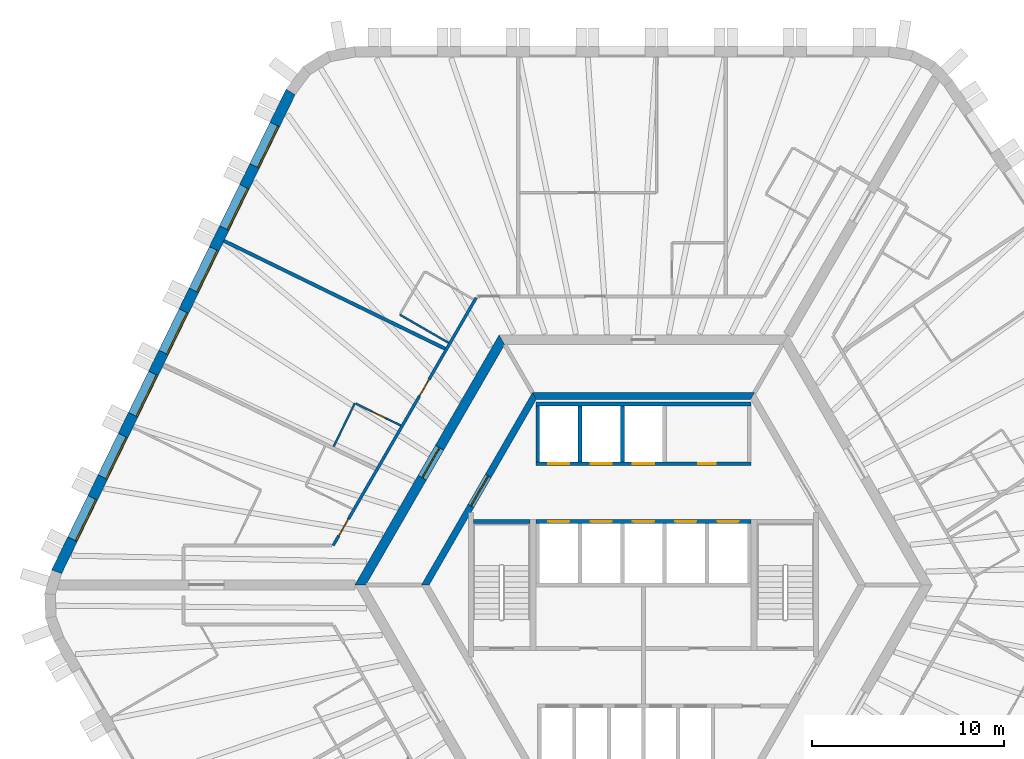
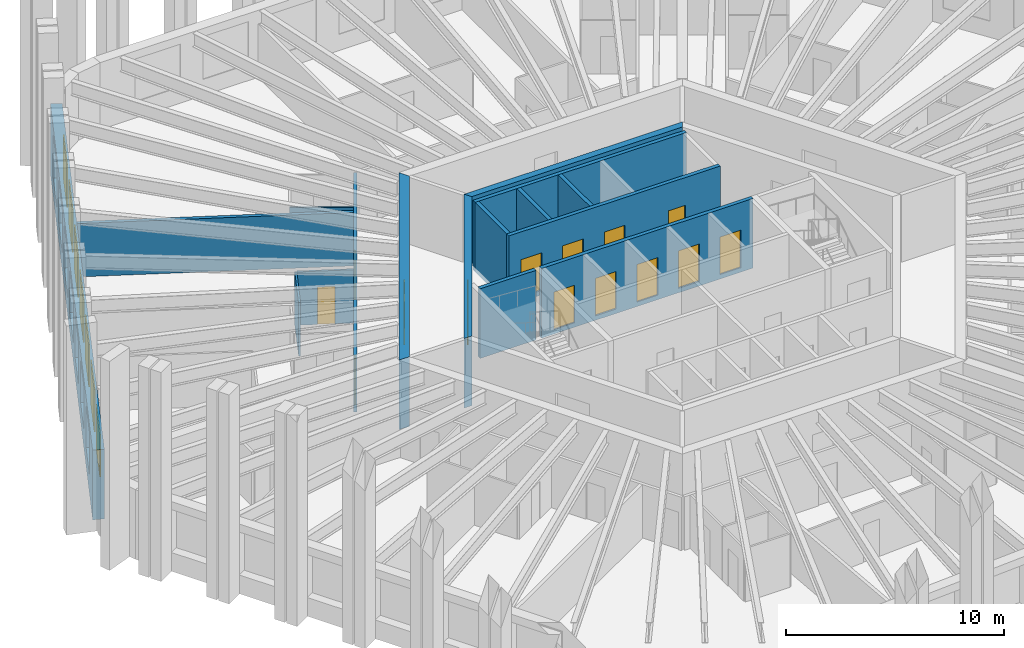
# One storey, part 7 of 11: 16 walls, 14 doors, 7 windows, 21 openings.
"""IFC4 building model written with IfcOpenShell, lengths in metres."""

from ifc_helpers import new_model, si_unit, direction, frame, frame_2d, origin, place, context, subcontext, project, spatial, polyline, rectangle, outline, extrude, material, layer, layer_set, type_object, element, fill, save


model = new_model("IFC4")

# Units and contexts
model_context = context("Model", 3, precision=1e-05, world=origin(), true_north=direction((0.0, 1.0)))
body_context = subcontext(model_context, "Body", "Model", "MODEL_VIEW")
ifc_project = project(units=[si_unit("LENGTHUNIT", "METRE"), si_unit("AREAUNIT", "SQUARE_METRE"), si_unit("VOLUMEUNIT", "CUBIC_METRE"), si_unit("PLANEANGLEUNIT", "RADIAN"), si_unit("MASSUNIT", "GRAM", prefix="KILO")], contexts=[model_context])

# Site, building, storey
site_placement = place(None, origin())
site = spatial("IfcSite", under=ifc_project, at=site_placement, CompositionType="ELEMENT")
building_placement = place(site_placement, origin())
building = spatial("IfcBuilding", under=site, at=building_placement, Name="Tarnside Tower", CompositionType="ELEMENT")
storey_placement = place(building_placement, frame((0.0, 0.0, 183.89990234375)))
storey = spatial("IfcBuildingStorey", under=building, at=storey_placement, Name="L43", CompositionType="ELEMENT", Elevation=183.89990234375)

# Walls
ifc_material_1 = material(Name="Gypsum board partition on steel studs", Category="steel")
ifc_layer_1 = layer(ifc_material_1, 0.10009765625)
ifc_layer_set_1 = layer_set([ifc_layer_1], Name="Bathroom wall 100")
wall_type_1 = type_object("IfcWallType", Name="Bathroom wall 100", PredefinedType="PARTITIONING", material=ifc_layer_set_1)
wall_1_placement = place(storey_placement, frame((-10.137939453125, 12.5908203125, 0.0), z_axis=(0.0, 0.0, 1.0), x_axis=(-0.866025730634, 0.499999433879, 0.0)))
element("IfcWall", 1, at=wall_1_placement, inside=storey, type_object=wall_type_1, Name="Bathroom wall 14064", PredefinedType="PARTITIONING", context=body_context, shape_type="SweptSolid", body=[
    extrude(rectangle(XDim=2.9248046875, YDim=0.10009765625, at=frame_2d((1.46240234375, 0.0))), origin(), (0.0, 0.0, 1.0), 2.98779296875),
])
wall_2_placement = place(storey_placement, frame((-16.107666015625, 7.197509765625, 0.0), z_axis=(0.0, 0.0, 1.0), x_axis=(0.438398718232, 0.898780598284, 0.0)))
element("IfcWall", 2, at=wall_2_placement, inside=storey, type_object=wall_type_1, Name="Bathroom wall 14068", PredefinedType="PARTITIONING", context=body_context, shape_type="SweptSolid", body=[
    extrude(rectangle(XDim=2.510009765625, YDim=0.10009765625, at=frame_2d((1.2548828125, 0.0))), origin(), (0.0, 0.0, 1.0), 2.98779296875),
])

# Wall, opening, door
wall_3_placement = place(storey_placement, frame((-14.96240234375, 9.431640625, 0.0), z_axis=(0.0, 0.0, 1.0), x_axis=(0.898770247069, -0.438419939081, 0.0)))
wall_3 = element("IfcWall", 3, at=wall_3_placement, inside=storey, type_object=wall_type_1, Name="Bathroom wall 14069", PredefinedType="PARTITIONING", context=body_context, shape_type="SweptSolid", body=[
    extrude(rectangle(XDim=2.60498046875, YDim=0.10009765625, at=frame_2d((1.302490234375, 0.0))), origin(), (0.0, 0.0, 1.0), 2.98779296875),
])
opening_1_placement = place(wall_3_placement, frame((0.949951171875, 0.0, 0.0)))
opening_1 = element("IfcOpeningElement", 4, at=opening_1_placement, cuts=wall_3, Name="Opening D-B1", PredefinedType="OPENING", context=body_context, shape_type="SweptSolid", body=[
    extrude(rectangle(XDim=0.800048828125, YDim=2.10009765625, at=frame_2d((0.39990234375, 1.050048828125))), frame((0.0, 0.06005859375, 0.0), z_axis=(0.0, -1.0, 0.0), x_axis=(1.0, 0.0, 0.0)), (0.0, 0.0, 1.0), 0.1201171875),
])
ifc_material_2 = material(Name="Timber door leaf", Category="wood")
door_type_1 = type_object("IfcDoorType", Name="Bathroom door 800", OperationType="NOTDEFINED", PredefinedType="DOOR", material=ifc_material_2)
door_1_placement = place(opening_1_placement, origin())
door_1 = element("IfcDoor", 5, at=door_1_placement, inside=storey, type_object=door_type_1, Name="Bathroom door 14009", OperationType="SINGLE_SWING_LEFT", OverallHeight=2.10009765625, OverallWidth=0.800048828125, PredefinedType="DOOR", context=body_context, shape_type="SweptSolid", body=[
    extrude(rectangle(XDim=0.800048828125, YDim=2.10009765625, at=frame_2d((0.39990234375, 1.050048828125))), frame((0.0, 0.02490234375, 0.0), z_axis=(0.0, -1.0, 0.0), x_axis=(1.0, 0.0, 0.0)), (0.0, 0.0, 1.0), 0.050048828125),
])
fill(opening_1, door_1)

ifc_material_3 = material(Name="Concrete C50/60", Category="concrete")
ifc_layer_2 = layer(ifc_material_3, 0.35009765625)
ifc_layer_set_2 = layer_set([ifc_layer_2], Name="Core block wall 350 C50/60")
wall_type_2 = type_object("IfcWallType", Name="Core block wall 350 C50/60", PredefinedType="SHEAR", material=ifc_layer_set_2)
wall_4_placement = place(storey_placement, frame((-5.672607421875, 9.824951171875, -0.14990234375), z_axis=(0.0, 0.0, 1.0), x_axis=(-0.499995046907, -0.866028263435, 0.0)))
wall_4 = element("IfcWall", 6, at=wall_4_placement, inside=storey, type_object=wall_type_2, Name="L43 core block wall face 2", PredefinedType="SHEAR", context=body_context, shape_type="SweptSolid", body=[
    extrude(outline(polyline([(-0.10107421875, -0.175048828125), (11.44580078125, -0.175048828125), (11.24365234375, 0.175048828125), (0.10107421875, 0.175048828125), (-0.10107421875, -0.175048828125)])), origin(), (0.0, 0.0, 1.0), 3.89990234375),
])
opening_2_placement = place(wall_4_placement, frame((4.80126953125, 0.0, 0.14990234375)))
opening_2 = element("IfcOpeningElement", 7, at=opening_2_placement, cuts=wall_4, Name="Opening CD-LOB", PredefinedType="OPENING", context=body_context, shape_type="SweptSolid", body=[
    extrude(rectangle(XDim=1.800048828125, YDim=2.39990234375, at=frame_2d((0.89990234375, 1.199951171875))), frame((0.0, 0.18505859375, 0.0), z_axis=(0.0, -1.0, 0.0), x_axis=(1.0, 0.0, 0.0)), (0.0, 0.0, 1.0), 0.3701171875),
])
ifc_material_4 = material(Name="Steel fire door", Category="steel")
door_type_2 = type_object("IfcDoorType", Name="Lobby double door FD30S 1800x2400", OperationType="NOTDEFINED", PredefinedType="DOOR", material=ifc_material_4)
door_2_placement = place(opening_2_placement, origin())
door_2 = element("IfcDoor", 8, at=door_2_placement, inside=storey, type_object=door_type_2, Name="L43 lobby block door P1", OperationType="DOUBLE_DOOR_SINGLE_SWING", OverallHeight=2.39990234375, OverallWidth=1.800048828125, PredefinedType="DOOR", context=body_context, shape_type="SweptSolid", body=[
    extrude(rectangle(XDim=1.800048828125, YDim=2.39990234375, at=frame_2d((0.89990234375, 1.199951171875))), frame((0.0, 0.02490234375, 0.0), z_axis=(0.0, -1.0, 0.0), x_axis=(1.0, 0.0, 0.0)), (0.0, 0.0, 1.0), 0.050048828125),
])
fill(opening_2, door_2)

# Wall
wall_5_placement = place(storey_placement, frame((5.672607421875, 9.824951171875, -0.14990234375), z_axis=(0.0, 0.0, 1.0), x_axis=(-1.0, 0.0, 0.0)))
element("IfcWall", 9, at=wall_5_placement, inside=storey, type_object=wall_type_2, Name="L43 core block wall face 1", PredefinedType="SHEAR", context=body_context, shape_type="SweptSolid", body=[
    extrude(outline(polyline([(-0.10107421875, -0.175048828125), (11.4462890625, -0.175048828125), (11.244140625, 0.175048828125), (0.10107421875, 0.175048828125), (-0.10107421875, -0.175048828125)])), origin(), (0.0, 0.0, 1.0), 3.89990234375),
])

# Wall, opening, door
ifc_material_5 = material(Name="Concrete C70/85", Category="concrete")
ifc_layer_3 = layer(ifc_material_5, 0.5)
ifc_layer_set_3 = layer_set([ifc_layer_3], Name="Core wall Z2 500 C70/85")
wall_type_3 = type_object("IfcWallType", Name="Core wall Z2 500 C70/85", PredefinedType="SHEAR", material=ifc_layer_set_3)
wall_6_placement = place(storey_placement, frame((-7.361083984375, 12.75, -0.14990234375), z_axis=(0.0, 0.0, 1.0), x_axis=(-0.50000571537, -0.866022103989, 0.0)))
wall_6 = element("IfcWall", 10, at=wall_6_placement, inside=storey, type_object=wall_type_3, Name="L43 core wall face 2", PredefinedType="SHEAR", context=body_context, shape_type="SweptSolid", body=[
    extrude(outline(polyline([(-0.144287109375, -0.25), (14.86669921875, -0.25), (14.578125, 0.25), (0.144287109375, 0.25), (-0.144287109375, -0.25)])), origin(), (0.0, 0.0, 1.0), 3.89990234375),
])
opening_3_placement = place(wall_6_placement, frame((6.489990234375, 0.0, 0.14990234375)))
opening_3 = element("IfcOpeningElement", 11, at=opening_3_placement, cuts=wall_6, Name="Opening CD-LOB", PredefinedType="OPENING", context=body_context, shape_type="SweptSolid", body=[
    extrude(rectangle(XDim=1.800048828125, YDim=2.39990234375, at=frame_2d((0.89990234375, 1.199951171875))), frame((0.0, 0.260009765625, 0.0), z_axis=(0.0, -1.0, 0.0), x_axis=(1.0, 0.0, 0.0)), (0.0, 0.0, 1.0), 0.52001953125),
])
door_3_placement = place(opening_3_placement, origin())
door_3 = element("IfcDoor", 12, at=door_3_placement, inside=storey, type_object=door_type_2, Name="L43 core door P1", OperationType="DOUBLE_DOOR_SINGLE_SWING", OverallHeight=2.39990234375, OverallWidth=1.800048828125, PredefinedType="DOOR", context=body_context, shape_type="SweptSolid", body=[
    extrude(rectangle(XDim=1.800048828125, YDim=2.39990234375, at=frame_2d((0.89990234375, 1.199951171875))), frame((0.0, 0.02490234375, 0.0), z_axis=(0.0, -1.0, 0.0), x_axis=(1.0, 0.0, 0.0)), (0.0, 0.0, 1.0), 0.050048828125),
])
fill(opening_3, door_3)

# Wall, openings, doors
ifc_layer_4 = layer(ifc_material_1, 0.14990234375)
ifc_layer_set_4 = layer_set([ifc_layer_4], Name="Corridor wall 150 EI 60")
wall_type_4 = type_object("IfcWallType", Name="Corridor wall 150 EI 60", PredefinedType="PARTITIONING", material=ifc_layer_set_4)
wall_7_placement = place(storey_placement, frame((-8.70361328125, 14.925048828125, 0.0), z_axis=(0.0, 0.0, 1.0), x_axis=(-0.499998228944, -0.866026426302, 0.0)))
wall_7 = element("IfcWall", 13, at=wall_7_placement, inside=storey, type_object=wall_type_4, Name="Corridor wall 14008", PredefinedType="PARTITIONING", context=body_context, shape_type="SweptSolid", body=[
    extrude(rectangle(XDim=14.86669921875, YDim=0.14990234375, at=frame_2d((7.433349609375, 0.0))), origin(), (0.0, 0.0, 1.0), 2.98779296875),
])
opening_4_placement = place(wall_7_placement, frame((4.900634765625, 0.0, 0.0)))
opening_4 = element("IfcOpeningElement", 14, at=opening_4_placement, cuts=wall_7, Name="Opening D-E1", PredefinedType="OPENING", context=body_context, shape_type="SweptSolid", body=[
    extrude(rectangle(XDim=1.0, YDim=2.10009765625, at=frame_2d((0.5, 1.050048828125))), frame((0.0, 0.0849609375, 0.0), z_axis=(0.0, -1.0, 0.0), x_axis=(1.0, 0.0, 0.0)), (0.0, 0.0, 1.0), 0.169921875),
])
opening_5_placement = place(wall_7_placement, frame((13.28369140625, 0.0, 0.0)))
opening_5 = element("IfcOpeningElement", 15, at=opening_5_placement, cuts=wall_7, Name="Opening D-E1", PredefinedType="OPENING", context=body_context, shape_type="SweptSolid", body=[
    extrude(rectangle(XDim=1.0, YDim=2.10009765625, at=frame_2d((0.5, 1.050048828125))), frame((0.0, 0.0849609375, 0.0), z_axis=(0.0, -1.0, 0.0), x_axis=(1.0, 0.0, 0.0)), (0.0, 0.0, 1.0), 0.169921875),
])
door_type_3 = type_object("IfcDoorType", Name="Unit entrance door 1000 FD30S", OperationType="NOTDEFINED", PredefinedType="DOOR", material=ifc_material_2)
door_4_placement = place(opening_4_placement, origin())
door_4 = element("IfcDoor", 16, at=door_4_placement, inside=storey, type_object=door_type_3, Name="Unit door 14008", OperationType="SINGLE_SWING_RIGHT", OverallHeight=2.10009765625, OverallWidth=1.0, PredefinedType="DOOR", context=body_context, shape_type="SweptSolid", body=[
    extrude(rectangle(XDim=1.0, YDim=2.10009765625, at=frame_2d((0.5, 1.050048828125))), frame((0.0, 0.02490234375, 0.0), z_axis=(0.0, -1.0, 0.0), x_axis=(1.0, 0.0, 0.0)), (0.0, 0.0, 1.0), 0.050048828125),
])
fill(opening_4, door_4)
door_5_placement = place(opening_5_placement, origin())
door_5 = element("IfcDoor", 17, at=door_5_placement, inside=storey, type_object=door_type_3, Name="Unit door 14010", OperationType="SINGLE_SWING_LEFT", OverallHeight=2.10009765625, OverallWidth=1.0, PredefinedType="DOOR", context=body_context, shape_type="SweptSolid", body=[
    extrude(rectangle(XDim=1.0, YDim=2.10009765625, at=frame_2d((0.5, 1.050048828125))), frame((0.0, 0.02490234375, 0.0), z_axis=(0.0, -1.0, 0.0), x_axis=(1.0, 0.0, 0.0)), (0.0, 0.0, 1.0), 0.050048828125),
])
fill(opening_5, door_5)

# Wall
ifc_layer_5 = layer(ifc_material_1, 0.179931640625)
ifc_layer_set_5 = layer_set([ifc_layer_5], Name="Demising wall 180 EI 60")
wall_type_5 = type_object("IfcWallType", Name="Demising wall 180 EI 60", PredefinedType="PARTITIONING", material=ifc_layer_set_5)
wall_8_placement = place(storey_placement, frame((-21.814697265625, 17.8916015625, 0.0), z_axis=(0.0, 0.0, 1.0), x_axis=(0.898799253997, -0.438360469265, 0.0)))
element("IfcWall", 18, at=wall_8_placement, inside=storey, type_object=wall_type_5, Name="Demising wall 14067", PredefinedType="PARTITIONING", context=body_context, shape_type="SweptSolid", body=[
    extrude(rectangle(XDim=12.7939453125, YDim=0.179931640625, at=frame_2d((6.39697265625, 0.0))), origin(), (0.0, 0.0, 1.0), 2.98779296875),
])

# Wall, openings, doors
ifc_material_6 = material(Name="Concrete C40/50", Category="concrete")
ifc_layer_6 = layer(ifc_material_6, 0.199951171875)
ifc_layer_set_6 = layer_set([ifc_layer_6], Name="Lift shaft wall 200 C40/50")
wall_type_6 = type_object("IfcWallType", Name="Lift shaft wall 200 C40/50", PredefinedType="SHEAR", material=ifc_layer_set_6)
wall_9_placement = place(storey_placement, frame((-5.60009765625, 6.300048828125, -0.25), z_axis=(0.0, 0.0, 1.0), x_axis=(1.0, 0.0, 0.0)))
wall_9 = element("IfcWall", 19, at=wall_9_placement, inside=storey, type_object=wall_type_6, Name="L43 lift shaft front wall R1", PredefinedType="SHEAR", context=body_context, shape_type="SweptSolid", body=[
    extrude(rectangle(XDim=11.2001953125, YDim=0.199951171875, at=frame_2d((5.60009765625, 0.0))), origin(), (0.0, 0.0, 1.0), 3.900146484375),
])
opening_6_placement = place(wall_9_placement, frame((8.449951171875, 0.0, 0.25)))
opening_6 = element("IfcOpeningElement", 20, at=opening_6_placement, cuts=wall_9, Name="Opening CD-room", PredefinedType="OPENING", context=body_context, shape_type="SweptSolid", body=[
    extrude(rectangle(XDim=0.89990234375, YDim=2.10009765625, at=frame_2d((0.449951171875, 1.050048828125))), frame((0.0, 0.10986328125, 0.0), z_axis=(0.0, -1.0, 0.0), x_axis=(1.0, 0.0, 0.0)), (0.0, 0.0, 1.0), 0.219970703125),
])
opening_7_placement = place(wall_9_placement, frame((0.64990234375, 0.0, 0.25)))
opening_7 = element("IfcOpeningElement", 21, at=opening_7_placement, cuts=wall_9, Name="Opening LD", PredefinedType="OPENING", context=body_context, shape_type="SweptSolid", body=[
    extrude(rectangle(XDim=1.10009765625, YDim=2.10009765625, at=frame_2d((0.550048828125, 1.050048828125))), frame((0.0, 0.10986328125, 0.0), z_axis=(0.0, -1.0, 0.0), x_axis=(1.0, 0.0, 0.0)), (0.0, 0.0, 1.0), 0.219970703125),
])
opening_8_placement = place(wall_9_placement, frame((2.85009765625, 0.0, 0.25)))
opening_8 = element("IfcOpeningElement", 22, at=opening_8_placement, cuts=wall_9, Name="Opening LD", PredefinedType="OPENING", context=body_context, shape_type="SweptSolid", body=[
    extrude(rectangle(XDim=1.10009765625, YDim=2.10009765625, at=frame_2d((0.550048828125, 1.050048828125))), frame((0.0, 0.10986328125, 0.0), z_axis=(0.0, -1.0, 0.0), x_axis=(1.0, 0.0, 0.0)), (0.0, 0.0, 1.0), 0.219970703125),
])
opening_9_placement = place(wall_9_placement, frame((5.050048828125, 0.0, 0.25)))
opening_9 = element("IfcOpeningElement", 23, at=opening_9_placement, cuts=wall_9, Name="Opening LD", PredefinedType="OPENING", context=body_context, shape_type="SweptSolid", body=[
    extrude(rectangle(XDim=1.10009765625, YDim=2.10009765625, at=frame_2d((0.550048828125, 1.050048828125))), frame((0.0, 0.10986328125, 0.0), z_axis=(0.0, -1.0, 0.0), x_axis=(1.0, 0.0, 0.0)), (0.0, 0.0, 1.0), 0.219970703125),
])
ifc_material_7 = material(Name="Stainless steel", Category="steel")
door_type_4 = type_object("IfcDoorType", Name="Lift landing door 1100x2100", OperationType="NOTDEFINED", PredefinedType="DOOR", material=ifc_material_7)
door_6_placement = place(opening_7_placement, origin())
door_6 = element("IfcDoor", 24, at=door_6_placement, inside=storey, type_object=door_type_4, Name="Mid-rise lift 1 landing door L43", OperationType="SLIDING_TO_LEFT", OverallHeight=2.10009765625, OverallWidth=1.10009765625, PredefinedType="DOOR", context=body_context, shape_type="SweptSolid", body=[
    extrude(rectangle(XDim=1.10009765625, YDim=2.10009765625, at=frame_2d((0.550048828125, 1.050048828125))), frame((0.0, 0.02490234375, 0.0), z_axis=(0.0, -1.0, 0.0), x_axis=(1.0, 0.0, 0.0)), (0.0, 0.0, 1.0), 0.050048828125),
])
fill(opening_7, door_6)
door_7_placement = place(opening_8_placement, origin())
door_7 = element("IfcDoor", 25, at=door_7_placement, inside=storey, type_object=door_type_4, Name="Mid-rise lift 2 landing door L43", OperationType="SLIDING_TO_LEFT", OverallHeight=2.10009765625, OverallWidth=1.10009765625, PredefinedType="DOOR", context=body_context, shape_type="SweptSolid", body=[
    extrude(rectangle(XDim=1.10009765625, YDim=2.10009765625, at=frame_2d((0.550048828125, 1.050048828125))), frame((0.0, 0.02490234375, 0.0), z_axis=(0.0, -1.0, 0.0), x_axis=(1.0, 0.0, 0.0)), (0.0, 0.0, 1.0), 0.050048828125),
])
fill(opening_8, door_7)
door_8_placement = place(opening_9_placement, origin())
door_8 = element("IfcDoor", 26, at=door_8_placement, inside=storey, type_object=door_type_4, Name="Mid-rise lift 3 landing door L43", OperationType="SLIDING_TO_LEFT", OverallHeight=2.10009765625, OverallWidth=1.10009765625, PredefinedType="DOOR", context=body_context, shape_type="SweptSolid", body=[
    extrude(rectangle(XDim=1.10009765625, YDim=2.10009765625, at=frame_2d((0.550048828125, 1.050048828125))), frame((0.0, 0.02490234375, 0.0), z_axis=(0.0, -1.0, 0.0), x_axis=(1.0, 0.0, 0.0)), (0.0, 0.0, 1.0), 0.050048828125),
])
fill(opening_9, door_8)
door_type_5 = type_object("IfcDoorType", Name="Room door FD60 900x2100", OperationType="NOTDEFINED", PredefinedType="DOOR", material=ifc_material_4)
door_9_placement = place(opening_6_placement, origin())
door_9 = element("IfcDoor", 27, at=door_9_placement, inside=storey, type_object=door_type_5, Name="L43 core room door FC1", OperationType="SINGLE_SWING_LEFT", OverallHeight=2.10009765625, OverallWidth=0.89990234375, PredefinedType="DOOR", context=body_context, shape_type="SweptSolid", body=[
    extrude(rectangle(XDim=0.89990234375, YDim=2.10009765625, at=frame_2d((0.449951171875, 1.050048828125))), frame((0.0, 0.02490234375, 0.0), z_axis=(0.0, -1.0, 0.0), x_axis=(1.0, 0.0, 0.0)), (0.0, 0.0, 1.0), 0.050048828125),
])
fill(opening_6, door_9)

# Walls
wall_10_placement = place(storey_placement, frame((-5.60009765625, 9.39990234375, -0.25), z_axis=(0.0, 0.0, 1.0), x_axis=(1.0, 0.0, 0.0)))
element("IfcWall", 28, at=wall_10_placement, inside=storey, type_object=wall_type_6, Name="L43 lift shaft back wall R1", PredefinedType="SHEAR", context=body_context, shape_type="SweptSolid", body=[
    extrude(rectangle(XDim=11.2001953125, YDim=0.199951171875, at=frame_2d((5.60009765625, 0.0))), origin(), (0.0, 0.0, 1.0), 3.900146484375),
])
for number, where, z_axis, x_axis, name in (
    (29, (-5.5, 6.39990234375, -0.25), (0.0, 0.0, 1.0), (0.0, 1.0, 0.0), "L43 lift shaft partition R11"),
    (30, (-3.300048828125, 6.39990234375, -0.25), (0.0, 0.0, 1.0), (0.0, 1.0, 0.0), "L43 lift shaft partition R12"),
    (31, (-1.10009765625, 6.39990234375, -0.25), (0.0, 0.0, 1.0), (0.0, 1.0, 0.0), "L43 lift shaft partition R13"),
):
    element("IfcWall", number, at=place(storey_placement, frame(where, z_axis=z_axis, x_axis=x_axis)), inside=storey, type_object=wall_type_6, Name=name, PredefinedType="SHEAR", context=body_context, shape_type="SweptSolid", body=[
        extrude(rectangle(XDim=2.900146484375, YDim=0.199951171875, at=frame_2d((1.4501953125, 0.0))), origin(), (0.0, 0.0, 1.0), 3.900146484375),
    ])

# Wall, openings, doors
wall_11_placement = place(storey_placement, frame((-5.60009765625, 3.300048828125, -0.25), z_axis=(0.0, 0.0, 1.0), x_axis=(1.0, 0.0, 0.0)))
wall_11 = element("IfcWall", 32, at=wall_11_placement, inside=storey, type_object=wall_type_6, Name="L43 lift shaft front wall R2", PredefinedType="SHEAR", context=body_context, shape_type="SweptSolid", body=[
    extrude(rectangle(XDim=11.2001953125, YDim=0.199951171875, at=frame_2d((5.60009765625, 0.0))), origin(), (0.0, 0.0, 1.0), 3.900146484375),
])
opening_10_placement = place(wall_11_placement, frame((0.64990234375, 0.0, 0.25)))
opening_10 = element("IfcOpeningElement", 33, at=opening_10_placement, cuts=wall_11, Name="Opening LD", PredefinedType="OPENING", context=body_context, shape_type="SweptSolid", body=[
    extrude(rectangle(XDim=1.10009765625, YDim=2.10009765625, at=frame_2d((0.550048828125, 1.050048828125))), frame((0.0, 0.10986328125, 0.0), z_axis=(0.0, -1.0, 0.0), x_axis=(1.0, 0.0, 0.0)), (0.0, 0.0, 1.0), 0.219970703125),
])
opening_11_placement = place(wall_11_placement, frame((2.85009765625, 0.0, 0.25)))
opening_11 = element("IfcOpeningElement", 34, at=opening_11_placement, cuts=wall_11, Name="Opening LD", PredefinedType="OPENING", context=body_context, shape_type="SweptSolid", body=[
    extrude(rectangle(XDim=1.10009765625, YDim=2.10009765625, at=frame_2d((0.550048828125, 1.050048828125))), frame((0.0, 0.10986328125, 0.0), z_axis=(0.0, -1.0, 0.0), x_axis=(1.0, 0.0, 0.0)), (0.0, 0.0, 1.0), 0.219970703125),
])
opening_12_placement = place(wall_11_placement, frame((5.050048828125, 0.0, 0.25)))
opening_12 = element("IfcOpeningElement", 35, at=opening_12_placement, cuts=wall_11, Name="Opening LD", PredefinedType="OPENING", context=body_context, shape_type="SweptSolid", body=[
    extrude(rectangle(XDim=1.10009765625, YDim=2.10009765625, at=frame_2d((0.550048828125, 1.050048828125))), frame((0.0, 0.10986328125, 0.0), z_axis=(0.0, -1.0, 0.0), x_axis=(1.0, 0.0, 0.0)), (0.0, 0.0, 1.0), 0.219970703125),
])
opening_13_placement = place(wall_11_placement, frame((7.25, 0.0, 0.25)))
opening_13 = element("IfcOpeningElement", 36, at=opening_13_placement, cuts=wall_11, Name="Opening LD", PredefinedType="OPENING", context=body_context, shape_type="SweptSolid", body=[
    extrude(rectangle(XDim=1.10009765625, YDim=2.10009765625, at=frame_2d((0.550048828125, 1.050048828125))), frame((0.0, 0.10986328125, 0.0), z_axis=(0.0, -1.0, 0.0), x_axis=(1.0, 0.0, 0.0)), (0.0, 0.0, 1.0), 0.219970703125),
])
opening_14_placement = place(wall_11_placement, frame((9.449951171875, 0.0, 0.25)))
opening_14 = element("IfcOpeningElement", 37, at=opening_14_placement, cuts=wall_11, Name="Opening LD", PredefinedType="OPENING", context=body_context, shape_type="SweptSolid", body=[
    extrude(rectangle(XDim=1.10009765625, YDim=2.10009765625, at=frame_2d((0.550048828125, 1.050048828125))), frame((0.0, 0.10986328125, 0.0), z_axis=(0.0, -1.0, 0.0), x_axis=(1.0, 0.0, 0.0)), (0.0, 0.0, 1.0), 0.219970703125),
])
door_10_placement = place(opening_10_placement, origin())
door_10 = element("IfcDoor", 38, at=door_10_placement, inside=storey, type_object=door_type_4, Name="Mid-rise lift 4 landing door L43", OperationType="SLIDING_TO_LEFT", OverallHeight=2.10009765625, OverallWidth=1.10009765625, PredefinedType="DOOR", context=body_context, shape_type="SweptSolid", body=[
    extrude(rectangle(XDim=1.10009765625, YDim=2.10009765625, at=frame_2d((0.550048828125, 1.050048828125))), frame((0.0, 0.02490234375, 0.0), z_axis=(0.0, -1.0, 0.0), x_axis=(1.0, 0.0, 0.0)), (0.0, 0.0, 1.0), 0.050048828125),
])
fill(opening_10, door_10)
door_11_placement = place(opening_11_placement, origin())
door_11 = element("IfcDoor", 39, at=door_11_placement, inside=storey, type_object=door_type_4, Name="Mid-rise lift 5 landing door L43", OperationType="SLIDING_TO_LEFT", OverallHeight=2.10009765625, OverallWidth=1.10009765625, PredefinedType="DOOR", context=body_context, shape_type="SweptSolid", body=[
    extrude(rectangle(XDim=1.10009765625, YDim=2.10009765625, at=frame_2d((0.550048828125, 1.050048828125))), frame((0.0, 0.02490234375, 0.0), z_axis=(0.0, -1.0, 0.0), x_axis=(1.0, 0.0, 0.0)), (0.0, 0.0, 1.0), 0.050048828125),
])
fill(opening_11, door_11)
door_12_placement = place(opening_12_placement, origin())
door_12 = element("IfcDoor", 40, at=door_12_placement, inside=storey, type_object=door_type_4, Name="Mid-rise lift 6 landing door L43", OperationType="SLIDING_TO_LEFT", OverallHeight=2.10009765625, OverallWidth=1.10009765625, PredefinedType="DOOR", context=body_context, shape_type="SweptSolid", body=[
    extrude(rectangle(XDim=1.10009765625, YDim=2.10009765625, at=frame_2d((0.550048828125, 1.050048828125))), frame((0.0, 0.02490234375, 0.0), z_axis=(0.0, -1.0, 0.0), x_axis=(1.0, 0.0, 0.0)), (0.0, 0.0, 1.0), 0.050048828125),
])
fill(opening_12, door_12)
door_13_placement = place(opening_13_placement, origin())
door_13 = element("IfcDoor", 41, at=door_13_placement, inside=storey, type_object=door_type_4, Name="High sky-lobby shuttle 1 landing door L43", OperationType="SLIDING_TO_LEFT", OverallHeight=2.10009765625, OverallWidth=1.10009765625, PredefinedType="DOOR", context=body_context, shape_type="SweptSolid", body=[
    extrude(rectangle(XDim=1.10009765625, YDim=2.10009765625, at=frame_2d((0.550048828125, 1.050048828125))), frame((0.0, 0.02490234375, 0.0), z_axis=(0.0, -1.0, 0.0), x_axis=(1.0, 0.0, 0.0)), (0.0, 0.0, 1.0), 0.050048828125),
])
fill(opening_13, door_13)
door_14_placement = place(opening_14_placement, origin())
door_14 = element("IfcDoor", 42, at=door_14_placement, inside=storey, type_object=door_type_4, Name="Express sky-lobby shuttle 2 landing door L43", OperationType="SLIDING_TO_LEFT", OverallHeight=2.10009765625, OverallWidth=1.10009765625, PredefinedType="DOOR", context=body_context, shape_type="SweptSolid", body=[
    extrude(rectangle(XDim=1.10009765625, YDim=2.10009765625, at=frame_2d((0.550048828125, 1.050048828125))), frame((0.0, 0.02490234375, 0.0), z_axis=(0.0, -1.0, 0.0), x_axis=(1.0, 0.0, 0.0)), (0.0, 0.0, 1.0), 0.050048828125),
])
fill(opening_14, door_14)

# Wall
wall_12_placement = place(storey_placement, frame((-8.85009765625, 3.300048828125, -0.25), z_axis=(0.0, 0.0, 1.0), x_axis=(1.0, 0.0, 0.0)))
element("IfcWall", 43, at=wall_12_placement, inside=storey, type_object=wall_type_6, Name="L43 stair 2 enclosure cap wall n", PredefinedType="SHEAR", context=body_context, shape_type="SweptSolid", body=[
    extrude(rectangle(XDim=2.9501953125, YDim=0.199951171875, at=frame_2d((1.47509765625, 0.0))), origin(), (0.0, 0.0, 1.0), 3.900146484375),
])

# Wall, openings, windows
ifc_material_8 = material(Name="Facing brick", Category="masonry")
ifc_layer_7 = layer(ifc_material_8, 0.10205078125)
ifc_material_9 = material(Name="Concrete C60/75 precast", Category="concrete")
ifc_layer_8 = layer(ifc_material_9, 0.347900390625)
ifc_material_10 = material(Name="Mineral wool insulation")
ifc_layer_9 = layer(ifc_material_10, 0.10009765625)
ifc_layer_set_7 = layer_set([ifc_layer_7, ifc_layer_8, ifc_layer_9], Name="Tube wall 550 brick faced")
wall_type_7 = type_object("IfcWallType", Name="Tube wall 550 brick faced", PredefinedType="SOLIDWALL", material=ifc_layer_set_7)
wall_13_placement = place(storey_placement, frame((-18.344970703125, 25.6328125, -0.14990234375), z_axis=(0.0, 0.0, 1.0), x_axis=(-0.43837181828, -0.898793718791, 0.0)))
wall_13 = element("IfcWall", 44, at=wall_13_placement, inside=storey, type_object=wall_type_7, Name="Tube wall L43 F2 flush 04", PredefinedType="SOLIDWALL", context=body_context, shape_type="SweptSolid", body=[
    extrude(outline(polyline([(-0.025634765625, -0.27490234375), (27.7802734375, -0.27490234375), (27.7353515625, 0.27490234375), (0.025634765625, 0.27490234375), (-0.025634765625, -0.27490234375)])), origin(), (0.0, 0.0, 1.0), 3.89990234375),
])
opening_15_placement = place(wall_13_placement, frame((1.87890625, 0.0, 1.050048828125)))
opening_15 = element("IfcOpeningElement", 45, at=opening_15_placement, cuts=wall_13, Name="Opening WH", PredefinedType="OPENING", context=body_context, shape_type="SweptSolid", body=[
    extrude(rectangle(XDim=2.39990234375, YDim=2.39990234375, at=frame_2d((1.199951171875, 1.199951171875))), frame((0.0, 0.28515625, 0.0), z_axis=(0.0, -1.0, 0.0), x_axis=(1.0, 0.0, 0.0)), (0.0, 0.0, 1.0), 0.570068359375),
])
opening_16_placement = place(wall_13_placement, frame((5.47900390625, 0.0, 1.050048828125)))
opening_16 = element("IfcOpeningElement", 46, at=opening_16_placement, cuts=wall_13, Name="Opening WH", PredefinedType="OPENING", context=body_context, shape_type="SweptSolid", body=[
    extrude(rectangle(XDim=2.39990234375, YDim=2.39990234375, at=frame_2d((1.199951171875, 1.199951171875))), frame((0.0, 0.28515625, 0.0), z_axis=(0.0, -1.0, 0.0), x_axis=(1.0, 0.0, 0.0)), (0.0, 0.0, 1.0), 0.570068359375),
])
opening_17_placement = place(wall_13_placement, frame((9.078857421875, 0.0, 1.050048828125)))
opening_17 = element("IfcOpeningElement", 47, at=opening_17_placement, cuts=wall_13, Name="Opening WH", PredefinedType="OPENING", context=body_context, shape_type="SweptSolid", body=[
    extrude(rectangle(XDim=2.39990234375, YDim=2.39990234375, at=frame_2d((1.199951171875, 1.199951171875))), frame((0.0, 0.28515625, 0.0), z_axis=(0.0, -1.0, 0.0), x_axis=(1.0, 0.0, 0.0)), (0.0, 0.0, 1.0), 0.570068359375),
])
opening_18_placement = place(wall_13_placement, frame((12.678955078125, 0.0, 1.050048828125)))
opening_18 = element("IfcOpeningElement", 48, at=opening_18_placement, cuts=wall_13, Name="Opening WH", PredefinedType="OPENING", context=body_context, shape_type="SweptSolid", body=[
    extrude(rectangle(XDim=2.39990234375, YDim=2.39990234375, at=frame_2d((1.199951171875, 1.199951171875))), frame((0.0, 0.28515625, 0.0), z_axis=(0.0, -1.0, 0.0), x_axis=(1.0, 0.0, 0.0)), (0.0, 0.0, 1.0), 0.570068359375),
])
opening_19_placement = place(wall_13_placement, frame((16.27880859375, 0.0, 1.050048828125)))
opening_19 = element("IfcOpeningElement", 49, at=opening_19_placement, cuts=wall_13, Name="Opening WH", PredefinedType="OPENING", context=body_context, shape_type="SweptSolid", body=[
    extrude(rectangle(XDim=2.39990234375, YDim=2.39990234375, at=frame_2d((1.199951171875, 1.199951171875))), frame((0.0, 0.28515625, 0.0), z_axis=(0.0, -1.0, 0.0), x_axis=(1.0, 0.0, 0.0)), (0.0, 0.0, 1.0), 0.570068359375),
])
opening_20_placement = place(wall_13_placement, frame((19.87890625, 0.0, 1.050048828125)))
opening_20 = element("IfcOpeningElement", 50, at=opening_20_placement, cuts=wall_13, Name="Opening WH", PredefinedType="OPENING", context=body_context, shape_type="SweptSolid", body=[
    extrude(rectangle(XDim=2.39990234375, YDim=2.39990234375, at=frame_2d((1.199951171875, 1.199951171875))), frame((0.0, 0.28515625, 0.0), z_axis=(0.0, -1.0, 0.0), x_axis=(1.0, 0.0, 0.0)), (0.0, 0.0, 1.0), 0.570068359375),
])
opening_21_placement = place(wall_13_placement, frame((23.47900390625, 0.0, 1.050048828125)))
opening_21 = element("IfcOpeningElement", 51, at=opening_21_placement, cuts=wall_13, Name="Opening WH", PredefinedType="OPENING", context=body_context, shape_type="SweptSolid", body=[
    extrude(rectangle(XDim=2.39990234375, YDim=2.39990234375, at=frame_2d((1.199951171875, 1.199951171875))), frame((0.0, 0.28515625, 0.0), z_axis=(0.0, -1.0, 0.0), x_axis=(1.0, 0.0, 0.0)), (0.0, 0.0, 1.0), 0.570068359375),
])
ifc_material_11 = material(Name="Aluminium-framed double glazing", Category="aluminium")
window_type = type_object("IfcWindowType", Name="Hotel window 2400 x 2400", PartitioningType="DOUBLE_PANEL_VERTICAL", PredefinedType="WINDOW", material=ifc_material_11)
window_1_placement = place(opening_15_placement, frame((0.0, 0.205078125, 0.0)))
window_1 = element("IfcWindow", 52, at=window_1_placement, inside=storey, type_object=window_type, Name="E.WN.L43.F2.00", OverallHeight=2.39990234375, OverallWidth=2.39990234375, PartitioningType="DOUBLE_PANEL_VERTICAL", PredefinedType="WINDOW", context=body_context, shape_type="SweptSolid", body=[
    extrude(rectangle(XDim=2.39990234375, YDim=2.39990234375, at=frame_2d((1.199951171875, 1.199951171875))), frame((0.0, 0.030029296875, 0.0), z_axis=(0.0, -1.0, 0.0), x_axis=(1.0, 0.0, 0.0)), (0.0, 0.0, 1.0), 0.06005859375),
])
fill(opening_15, window_1)
window_2_placement = place(opening_16_placement, frame((0.0, 0.205078125, 0.0)))
window_2 = element("IfcWindow", 53, at=window_2_placement, inside=storey, type_object=window_type, Name="E.WN.L43.F2.01", OverallHeight=2.39990234375, OverallWidth=2.39990234375, PartitioningType="DOUBLE_PANEL_VERTICAL", PredefinedType="WINDOW", context=body_context, shape_type="SweptSolid", body=[
    extrude(rectangle(XDim=2.39990234375, YDim=2.39990234375, at=frame_2d((1.199951171875, 1.199951171875))), frame((0.0, 0.030029296875, 0.0), z_axis=(0.0, -1.0, 0.0), x_axis=(1.0, 0.0, 0.0)), (0.0, 0.0, 1.0), 0.06005859375),
])
fill(opening_16, window_2)
window_3_placement = place(opening_17_placement, frame((0.0, 0.205078125, 0.0)))
window_3 = element("IfcWindow", 54, at=window_3_placement, inside=storey, type_object=window_type, Name="E.WN.L43.F2.02", OverallHeight=2.39990234375, OverallWidth=2.39990234375, PartitioningType="DOUBLE_PANEL_VERTICAL", PredefinedType="WINDOW", context=body_context, shape_type="SweptSolid", body=[
    extrude(rectangle(XDim=2.39990234375, YDim=2.39990234375, at=frame_2d((1.199951171875, 1.199951171875))), frame((0.0, 0.030029296875, 0.0), z_axis=(0.0, -1.0, 0.0), x_axis=(1.0, 0.0, 0.0)), (0.0, 0.0, 1.0), 0.06005859375),
])
fill(opening_17, window_3)
window_4_placement = place(opening_18_placement, frame((0.0, 0.205078125, 0.0)))
window_4 = element("IfcWindow", 55, at=window_4_placement, inside=storey, type_object=window_type, Name="E.WN.L43.F2.03", OverallHeight=2.39990234375, OverallWidth=2.39990234375, PartitioningType="DOUBLE_PANEL_VERTICAL", PredefinedType="WINDOW", context=body_context, shape_type="SweptSolid", body=[
    extrude(rectangle(XDim=2.39990234375, YDim=2.39990234375, at=frame_2d((1.199951171875, 1.199951171875))), frame((0.0, 0.030029296875, 0.0), z_axis=(0.0, -1.0, 0.0), x_axis=(1.0, 0.0, 0.0)), (0.0, 0.0, 1.0), 0.06005859375),
])
fill(opening_18, window_4)
window_5_placement = place(opening_19_placement, frame((0.0, 0.205078125, 0.0)))
window_5 = element("IfcWindow", 56, at=window_5_placement, inside=storey, type_object=window_type, Name="E.WN.L43.F2.04", OverallHeight=2.39990234375, OverallWidth=2.39990234375, PartitioningType="DOUBLE_PANEL_VERTICAL", PredefinedType="WINDOW", context=body_context, shape_type="SweptSolid", body=[
    extrude(rectangle(XDim=2.39990234375, YDim=2.39990234375, at=frame_2d((1.199951171875, 1.199951171875))), frame((0.0, 0.030029296875, 0.0), z_axis=(0.0, -1.0, 0.0), x_axis=(1.0, 0.0, 0.0)), (0.0, 0.0, 1.0), 0.06005859375),
])
fill(opening_19, window_5)
window_6_placement = place(opening_20_placement, frame((0.0, 0.205078125, 0.0)))
window_6 = element("IfcWindow", 57, at=window_6_placement, inside=storey, type_object=window_type, Name="E.WN.L43.F2.05", OverallHeight=2.39990234375, OverallWidth=2.39990234375, PartitioningType="DOUBLE_PANEL_VERTICAL", PredefinedType="WINDOW", context=body_context, shape_type="SweptSolid", body=[
    extrude(rectangle(XDim=2.39990234375, YDim=2.39990234375, at=frame_2d((1.199951171875, 1.199951171875))), frame((0.0, 0.030029296875, 0.0), z_axis=(0.0, -1.0, 0.0), x_axis=(1.0, 0.0, 0.0)), (0.0, 0.0, 1.0), 0.06005859375),
])
fill(opening_20, window_6)
window_7_placement = place(opening_21_placement, frame((0.0, 0.205078125, 0.0)))
window_7 = element("IfcWindow", 58, at=window_7_placement, inside=storey, type_object=window_type, Name="E.WN.L43.F2.06", OverallHeight=2.39990234375, OverallWidth=2.39990234375, PartitioningType="DOUBLE_PANEL_VERTICAL", PredefinedType="WINDOW", context=body_context, shape_type="SweptSolid", body=[
    extrude(rectangle(XDim=2.39990234375, YDim=2.39990234375, at=frame_2d((1.199951171875, 1.199951171875))), frame((0.0, 0.030029296875, 0.0), z_axis=(0.0, -1.0, 0.0), x_axis=(1.0, 0.0, 0.0)), (0.0, 0.0, 1.0), 0.06005859375),
])
fill(opening_21, window_7)

save(model, "model.ifc")
